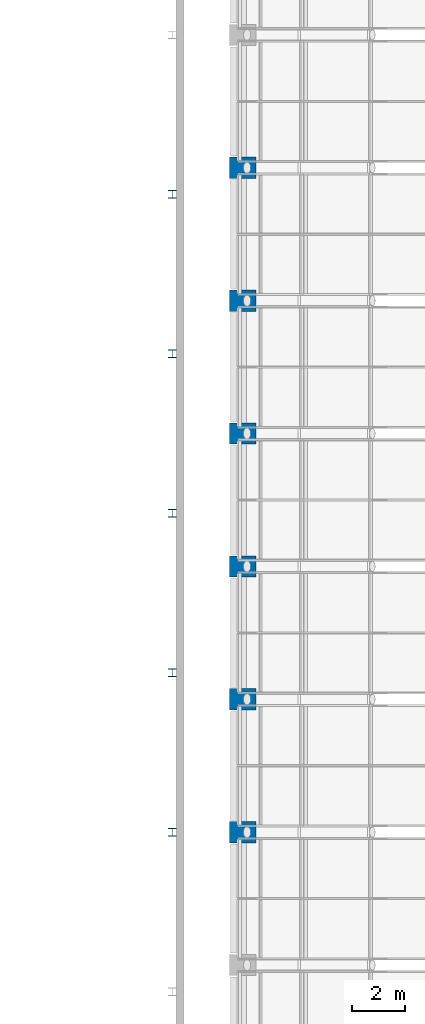
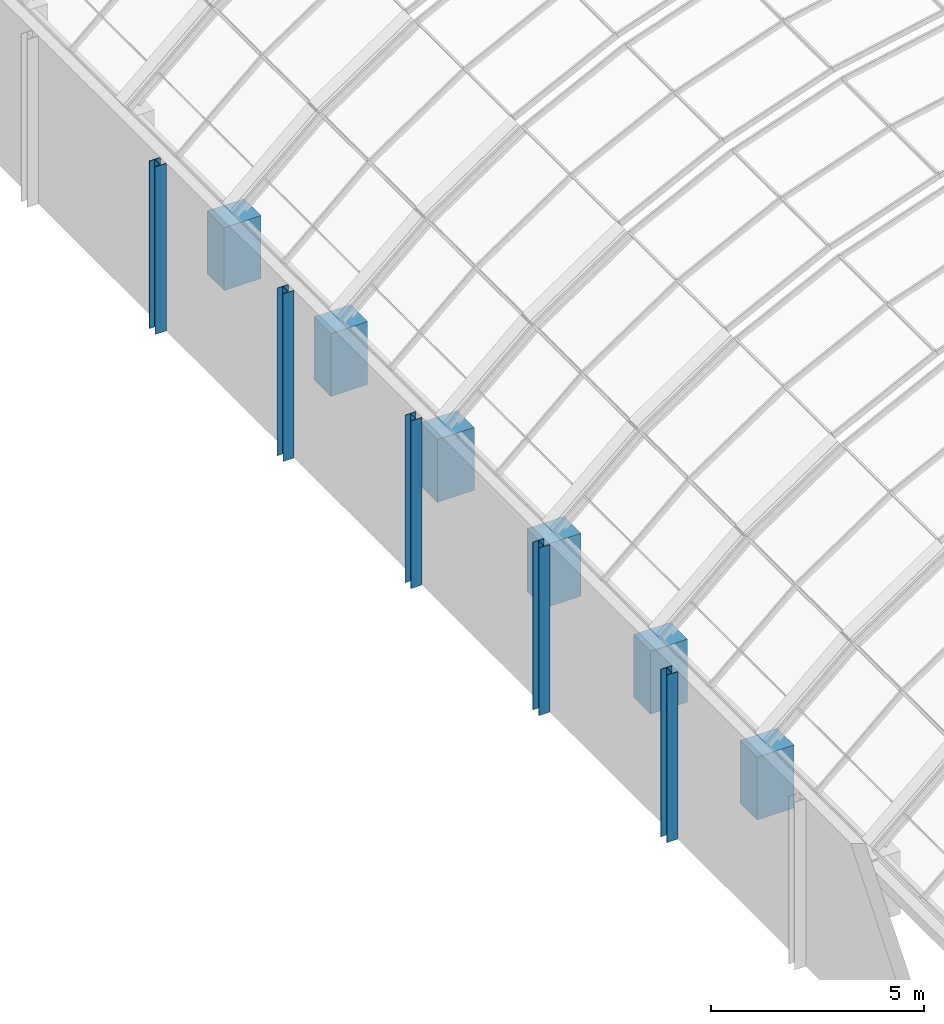
# One storey, part 22 of 182: 11 columns.
"""IFC4 building model written with IfcOpenShell, lengths in metres."""

from ifc_helpers import new_model, si_unit, direction, frame, origin, origin_2d, place, context, subcontext, project, spatial, rectangle, i_section, extrude, material, material_profile, profile_set, type_object, element, save


model = new_model("IFC4")

# Units and contexts
model_context = context("Model", 3, precision=1e-05, world=origin(), true_north=direction((0.0, 1.0)))
body_context = subcontext(model_context, "Body", "Model", "MODEL_VIEW")
ifc_project = project(units=[si_unit("LENGTHUNIT", "METRE"), si_unit("AREAUNIT", "SQUARE_METRE"), si_unit("VOLUMEUNIT", "CUBIC_METRE"), si_unit("PLANEANGLEUNIT", "RADIAN"), si_unit("MASSUNIT", "GRAM", prefix="KILO")], contexts=[model_context])

# Site, building, storey
site_placement = place(None, origin())
site = spatial("IfcSite", under=ifc_project, at=site_placement, CompositionType="ELEMENT")
building_placement = place(site_placement, origin())
building = spatial("IfcBuilding", under=site, at=building_placement, Name="Okhra Congress Centre", CompositionType="ELEMENT")
storey_placement = place(building_placement, frame((0.0, 0.0, 7.199951171875)))
storey = spatial("IfcBuildingStorey", under=building, at=storey_placement, Name="L01", CompositionType="ELEMENT", Elevation=7.199951171875)

# Columns
ifc_material_1 = material(Name="Steel S355J2", Category="steel")
ifc_material_profile_1 = material_profile(ifc_material_1, i_section(OverallWidth=0.300048828125, OverallDepth=0.2900390625, WebThickness=0.008544921875, FlangeThickness=0.013916015625, at=origin_2d()), Name="HE 300 A")
ifc_profile_set_1 = profile_set([ifc_material_profile_1], Name="Steel S355J2")
column_type_1 = type_object("IfcColumnType", Name="HE 300 A", PredefinedType="COLUMN", material=ifc_profile_set_1)
for number, where, z_axis, x_axis, name in (
    (1, (152.85009765625, 156.0, 0.0), (0.0, 0.0, 1.0), (1.0, 0.0, 0.0), "EH.COL.L01.WP22"),
    (2, (152.85009765625, 162.0, 0.0), (0.0, 0.0, 1.0), (1.0, 0.0, 0.0), "EH.COL.L01.WP24"),
    (3, (152.85009765625, 168.0, 0.0), (0.0, 0.0, 1.0), (1.0, 0.0, 0.0), "EH.COL.L01.WP26"),
    (4, (152.85009765625, 174.0, 0.0), (0.0, 0.0, 1.0), (1.0, 0.0, 0.0), "EH.COL.L01.WP28"),
    (5, (152.85009765625, 180.0, 0.0), (0.0, 0.0, 1.0), (1.0, 0.0, 0.0), "EH.COL.L01.WP30"),
):
    element("IfcColumn", number, at=place(storey_placement, frame(where, z_axis=z_axis, x_axis=x_axis)), inside=storey, type_object=column_type_1, Name=name, PredefinedType="COLUMN", context=body_context, shape_type="SweptSolid", body=[
        extrude(i_section(OverallWidth=0.300048828125, OverallDepth=0.2900390625, WebThickness=0.008544921875, FlangeThickness=0.013916015625, at=origin_2d()), origin(), (0.0, 0.0, 1.0), 4.800048828125),
    ])
ifc_material_2 = material(Name="Concrete C40/50", Category="concrete")
ifc_material_profile_2 = material_profile(ifc_material_2, rectangle(XDim=1.0, YDim=0.800048828125, at=origin_2d()), Name="RC 1000x800")
ifc_profile_set_2 = profile_set([ifc_material_profile_2], Name="Concrete C40/50")
column_type_2 = type_object("IfcColumnType", Name="RC pier 1000x800 C40/50", PredefinedType="COLUMN", material=ifc_profile_set_2)
for number, where, z_axis, x_axis, name in (
    (6, (155.5, 156.0, 0.0), (0.0, 0.0, 1.0), (1.0, 0.0, 0.0), "WG.COL.L01.pier-W16"),
    (7, (155.5, 161.0, 0.0), (0.0, 0.0, 1.0), (1.0, 0.0, 0.0), "WG.COL.L01.pier-W17"),
    (8, (155.5, 166.0, 0.0), (0.0, 0.0, 1.0), (1.0, 0.0, 0.0), "WG.COL.L01.pier-W18"),
    (9, (155.5, 171.0, 0.0), (0.0, 0.0, 1.0), (1.0, 0.0, 0.0), "WG.COL.L01.pier-W19"),
    (10, (155.5, 176.0, 0.0), (0.0, 0.0, 1.0), (1.0, 0.0, 0.0), "WG.COL.L01.pier-W20"),
    (11, (155.5, 181.0, 0.0), (0.0, 0.0, 1.0), (1.0, 0.0, 0.0), "WG.COL.L01.pier-W21"),
):
    element("IfcColumn", number, at=place(storey_placement, frame(where, z_axis=z_axis, x_axis=x_axis)), inside=storey, type_object=column_type_2, Name=name, PredefinedType="COLUMN", context=body_context, shape_type="SweptSolid", body=[
        extrude(rectangle(XDim=1.0, YDim=0.800048828125, at=origin_2d()), origin(), (0.0, 0.0, 1.0), 1.800048828125),
    ])

save(model, "model.ifc")
